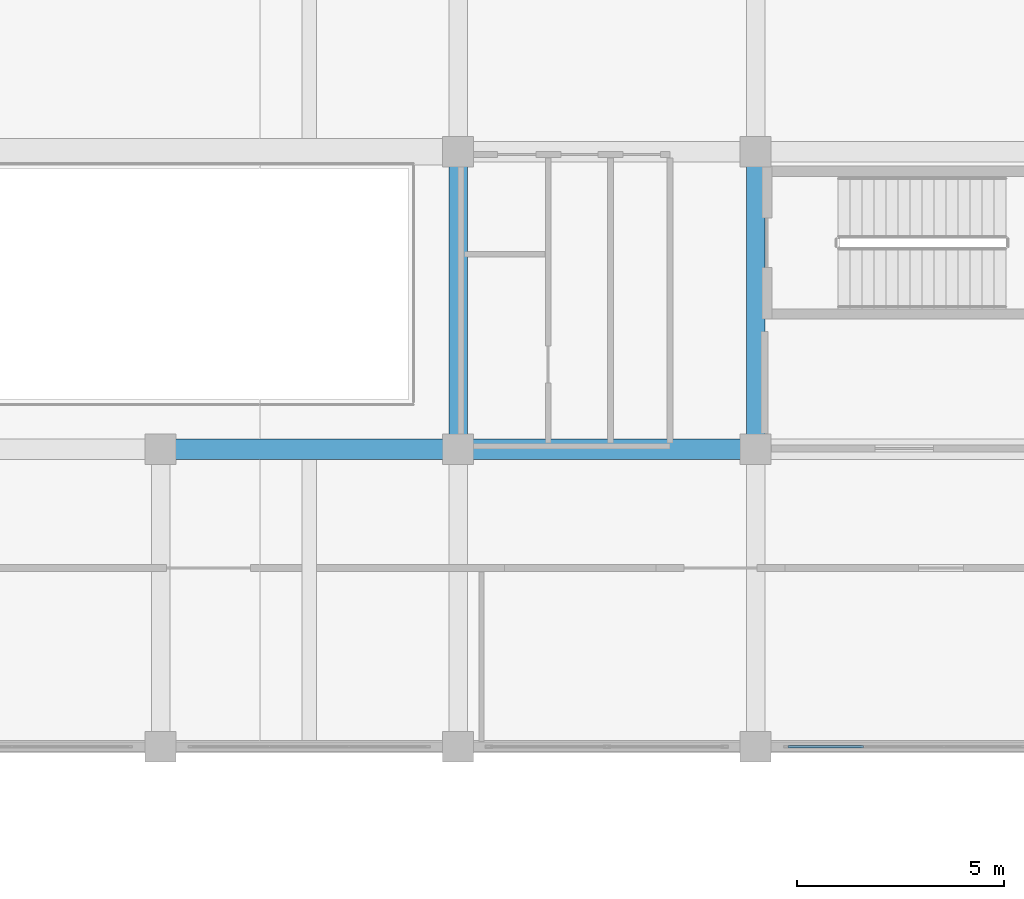
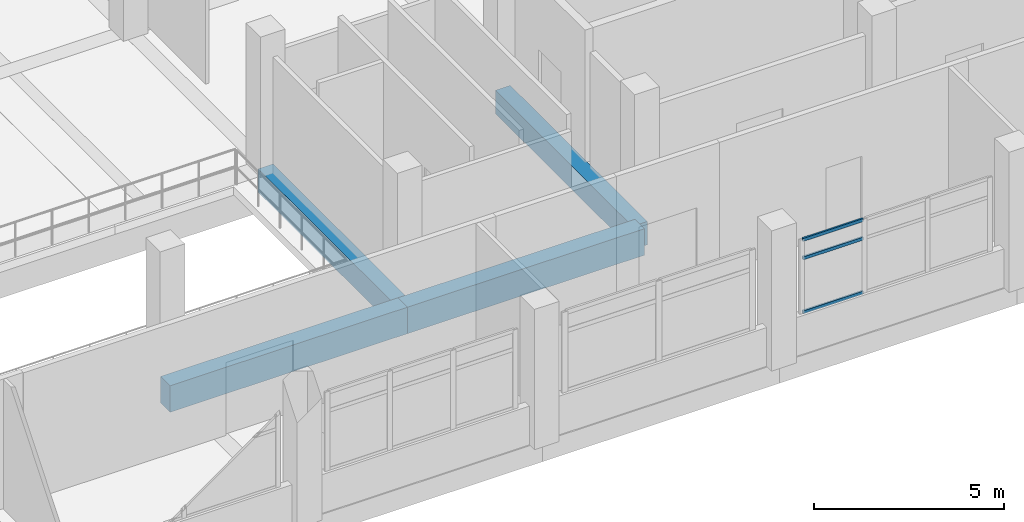
# One storey, part 27 of 141: 4 beams, 3 members, 1 element without a shape of its own.
"""IFC4 building model written with IfcOpenShell, lengths in metres."""

from ifc_helpers import new_model, si_unit, direction, frame, origin, origin_2d, place, context, subcontext, project, spatial, rectangle, hollow_rectangle, extrude, material, layer, layer_set, material_profile, profile_set, type_object, element, aggregate, save


model = new_model("IFC4")

# Units and contexts
model_context = context("Model", 3, precision=1e-05, world=origin(), true_north=direction((0.0, 1.0)))
body_context = subcontext(model_context, "Body", "Model", "MODEL_VIEW")
ifc_project = project(units=[si_unit("LENGTHUNIT", "METRE"), si_unit("AREAUNIT", "SQUARE_METRE"), si_unit("VOLUMEUNIT", "CUBIC_METRE"), si_unit("PLANEANGLEUNIT", "RADIAN"), si_unit("MASSUNIT", "GRAM", prefix="KILO")], contexts=[model_context])

# Site, building, storey
site_placement = place(None, origin())
site = spatial("IfcSite", under=ifc_project, at=site_placement, CompositionType="ELEMENT")
building_placement = place(site_placement, origin())
building = spatial("IfcBuilding", under=site, at=building_placement, Name="Seraya Terrace Polytechnic", CompositionType="ELEMENT")
storey_placement = place(building_placement, frame((0.0, 0.0, 14.39990234375)))
storey = spatial("IfcBuildingStorey", under=building, at=storey_placement, Name="L03", CompositionType="ELEMENT", Elevation=14.39990234375)

# Beams
ifc_material_1 = material(Name="Concrete C40/50", Category="concrete")
ifc_material_profile_1 = material_profile(ifc_material_1, rectangle(XDim=0.5, YDim=0.85009765625, at=origin_2d()), Name="RC 500x850")
ifc_profile_set_1 = profile_set([ifc_material_profile_1], Name="Concrete C40/50")
beam_type_1 = type_object("IfcBeamType", Name="BM-05", PredefinedType="BEAM", material=ifc_profile_set_1)
for number, where, z_axis, x_axis, name in (
    (1, (64.800048828125, 7.199951171875, -0.4248046875), (1.0, 0.0, 0.0), (0.0, 1.0, 0.0), "Beam BM-05 L03 X (64.8..72.0, 7.2)"),
    (2, (72.0, 7.199951171875, -0.4248046875), (1.0, 0.0, 0.0), (0.0, 1.0, 0.0), "Beam BM-05 L03 X (72.0..79.2, 7.2)"),
):
    element("IfcBeam", number, at=place(storey_placement, frame(where, z_axis=z_axis, x_axis=x_axis)), inside=storey, type_object=beam_type_1, Name=name, PredefinedType="BEAM", context=body_context, shape_type="SweptSolid", body=[
        extrude(rectangle(XDim=0.5, YDim=0.85009765625, at=origin_2d()), origin(), (0.0, 0.0, 1.0), 7.199951171875),
    ])
ifc_material_profile_2 = material_profile(ifc_material_1, rectangle(XDim=0.449951171875, YDim=0.75, at=origin_2d()), Name="RC 450x750")
ifc_profile_set_2 = profile_set([ifc_material_profile_2], Name="Concrete C40/50")
beam_type_2 = type_object("IfcBeamType", Name="BM-08", PredefinedType="BEAM", material=ifc_profile_set_2)
for number, where, z_axis, x_axis, name in (
    (3, (72.0, 7.199951171875, -0.375), (0.0, 1.0, 0.0), (-1.0, 0.0, 0.0), "Beam BM-08 L03 Y (72.0, 7.2..14.4)"),
    (4, (79.199951171875, 7.199951171875, -0.375), (0.0, 1.0, 0.0), (-1.0, 0.0, 0.0), "Beam BM-08 L03 Y (79.2, 7.2..14.4)"),
):
    element("IfcBeam", number, at=place(storey_placement, frame(where, z_axis=z_axis, x_axis=x_axis)), inside=storey, type_object=beam_type_2, Name=name, PredefinedType="BEAM", context=body_context, shape_type="SweptSolid", body=[
        extrude(rectangle(XDim=0.449951171875, YDim=0.75, at=origin_2d()), origin(), (0.0, 0.0, 1.0), 7.199951171875),
    ])

# Curtain wall, members
ifc_material_2 = material(Name="Anodised aluminium EN AW-6063 T6", Category="aluminium")
ifc_layer = layer(ifc_material_2, 0.179931640625, Name="CW-30")
ifc_layer_set = layer_set([ifc_layer], Name="Anodised aluminium EN AW-6063 T6")
curtain_wall_type = type_object("IfcCurtainWallType", Name="CW-30", PredefinedType="NOTDEFINED", material=ifc_layer_set)
curtain_wall_placement = place(storey_placement, origin())
curtain_wall = element("IfcCurtainWall", 5, at=curtain_wall_placement, inside=storey, type_object=curtain_wall_type, Name="Unitised curtain wall CW-30 (CW-L03-102)", PredefinedType="NOTDEFINED")
ifc_material_profile_3 = material_profile(ifc_material_2, hollow_rectangle(XDim=0.054931640625, YDim=0.10009765625, WallThickness=0.0029296875, at=origin_2d()), Name="RHS 100x55x3.0")
ifc_profile_set_3 = profile_set([ifc_material_profile_3], Name="Anodised aluminium EN AW-6063 T6")
member_type = type_object("IfcMemberType", Name="CWT-03", PredefinedType="USERDEFINED", material=ifc_profile_set_3)
member_1_placement = place(storey_placement, frame((81.81005859375, 0.0, 1.267578125), z_axis=(-1.0, 0.0, 0.0), x_axis=(0.0, -1.0, 0.0)))
member_1 = element("IfcMember", 6, at=member_1_placement, type_object=member_type, Name="CW-30 transom 3.1", ObjectType="TRANSOM", PredefinedType="USERDEFINED", context=body_context, shape_type="SweptSolid", body=[
    extrude(hollow_rectangle(XDim=0.054931640625, YDim=0.10009765625, WallThickness=0.0029296875, at=origin_2d()), origin(), (0.0, 0.0, 1.0), 1.830078125),
])
member_2_placement = place(storey_placement, frame((81.81005859375, 0.0, 3.0), z_axis=(-1.0, 0.0, 0.0), x_axis=(0.0, -1.0, 0.0)))
member_2 = element("IfcMember", 7, at=member_2_placement, type_object=member_type, Name="CW-30 transom 3.2", ObjectType="TRANSOM", PredefinedType="USERDEFINED", context=body_context, shape_type="SweptSolid", body=[
    extrude(hollow_rectangle(XDim=0.054931640625, YDim=0.10009765625, WallThickness=0.0029296875, at=origin_2d()), origin(), (0.0, 0.0, 1.0), 1.830078125),
])
member_3_placement = place(storey_placement, frame((81.81005859375, 0.0, 3.592529296875), z_axis=(-1.0, 0.0, 0.0), x_axis=(0.0, -1.0, 0.0)))
member_3 = element("IfcMember", 8, at=member_3_placement, type_object=member_type, Name="CW-30 transom 3.3", ObjectType="TRANSOM", PredefinedType="USERDEFINED", context=body_context, shape_type="SweptSolid", body=[
    extrude(hollow_rectangle(XDim=0.054931640625, YDim=0.10009765625, WallThickness=0.0029296875, at=origin_2d()), origin(), (0.0, 0.0, 1.0), 1.830078125),
])
aggregate(curtain_wall, [member_1, member_2, member_3])

save(model, "model.ifc")
